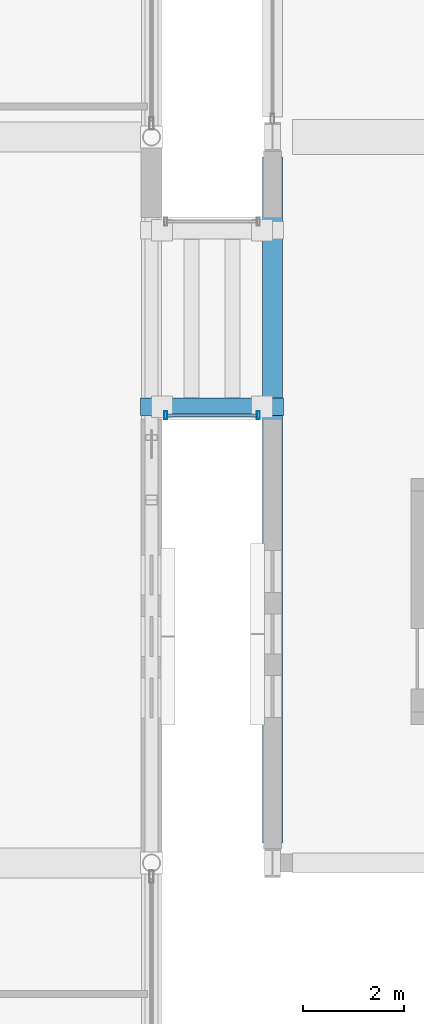
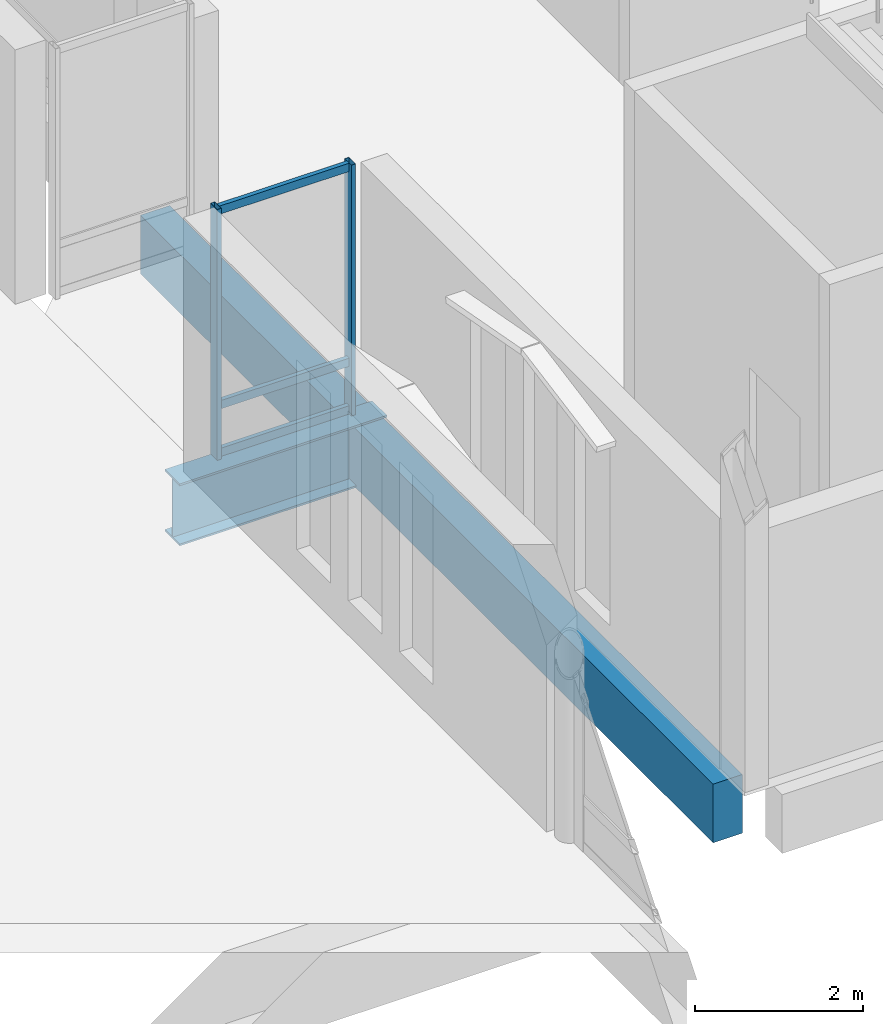
# One storey, part 73 of 220: 5 members, 2 beams, 1 element without a shape of its own.
"""IFC4 building model written with IfcOpenShell, lengths in metres."""

from ifc_helpers import new_model, si_unit, direction, frame, origin, origin_2d, place, context, subcontext, project, spatial, rectangle, hollow_rectangle, i_section, extrude, material, material_profile, profile_set, type_object, element, aggregate, save


model = new_model("IFC4")

# Units and contexts
model_context = context("Model", 3, precision=1e-05, world=origin(), true_north=direction((0.0, 1.0)))
body_context = subcontext(model_context, "Body", "Model", "MODEL_VIEW")
ifc_project = project(units=[si_unit("LENGTHUNIT", "METRE"), si_unit("AREAUNIT", "SQUARE_METRE"), si_unit("VOLUMEUNIT", "CUBIC_METRE"), si_unit("PLANEANGLEUNIT", "RADIAN"), si_unit("MASSUNIT", "GRAM", prefix="KILO")], contexts=[model_context])

# Site, building, storey
site_placement = place(None, origin())
site = spatial("IfcSite", under=ifc_project, at=site_placement, CompositionType="ELEMENT")
building_placement = place(site_placement, origin())
building = spatial("IfcBuilding", under=site, at=building_placement, Name="Cendralis Lancet Convention Centre", CompositionType="ELEMENT")
storey_placement = place(building_placement, frame((0.0, 0.0, 5.39990234375)))
storey = spatial("IfcBuildingStorey", under=building, at=storey_placement, Name="L01", CompositionType="ELEMENT", Elevation=5.39990234375)

# Curtain wall, members
ifc_material_1 = material(Name="Anodised bronze architectural aluminium", Category="aluminium")
curtain_wall_type = type_object("IfcCurtainWallType", Name="ARC-CW-BR01", PredefinedType="USERDEFINED", material=ifc_material_1)
curtain_wall_placement = place(storey_placement, origin())
curtain_wall = element("IfcCurtainWall", 1, at=curtain_wall_placement, inside=storey, type_object=curtain_wall_type, Name="L01 Curtain Wall CW-BR1 #193", ObjectType="CURTAIN WALL", PredefinedType="USERDEFINED")
ifc_material_profile_1 = material_profile(ifc_material_1, hollow_rectangle(XDim=0.06005859375, YDim=0.159912109375, WallThickness=0.00390625, at=origin_2d()), Name="AL-MULL 60x160x4.0")
ifc_profile_set_1 = profile_set([ifc_material_profile_1], Name="Anodised bronze architectural aluminium")
member_type_1 = type_object("IfcMemberType", Name="ARC-CW-ML01", PredefinedType="MULLION", material=ifc_profile_set_1)
member_1_placement = place(storey_placement, frame((122.679931640625, 102.47998046875, 0.0), z_axis=(0.0, 0.0, 1.0), x_axis=(1.0, 0.0, 0.0)))
member_1 = element("IfcMember", 2, at=member_1_placement, type_object=member_type_1, Name="Mullion CW2-CW-BR1-L01-193-M0", PredefinedType="MULLION", context=body_context, shape_type="SweptSolid", body=[
    extrude(hollow_rectangle(XDim=0.06005859375, YDim=0.159912109375, WallThickness=0.00390625, at=origin_2d()), origin(), (0.0, 0.0, 1.0), 3.635009765625),
])
member_2_placement = place(storey_placement, frame((124.52001953125, 102.47998046875, 0.0), z_axis=(0.0, 0.0, 1.0), x_axis=(1.0, 0.0, 0.0)))
member_2 = element("IfcMember", 3, at=member_2_placement, type_object=member_type_1, Name="Mullion CW2-CW-BR1-L01-193-M1", PredefinedType="MULLION", context=body_context, shape_type="SweptSolid", body=[
    extrude(hollow_rectangle(XDim=0.06005859375, YDim=0.159912109375, WallThickness=0.00390625, at=origin_2d()), origin(), (0.0, 0.0, 1.0), 3.635009765625),
])
ifc_material_profile_2 = material_profile(ifc_material_1, hollow_rectangle(XDim=0.06005859375, YDim=0.1201171875, WallThickness=0.00390625, at=origin_2d()), Name="AL-TRAN 60x120x4.0")
ifc_profile_set_2 = profile_set([ifc_material_profile_2], Name="Anodised bronze architectural aluminium")
member_type_2 = type_object("IfcMemberType", Name="ARC-CW-TR01", PredefinedType="USERDEFINED", material=ifc_profile_set_2)
member_3_placement = place(storey_placement, frame((122.7099609375, 102.47998046875, 0.06005859375), z_axis=(1.0, 0.0, 0.0), x_axis=(0.0, 1.0, 0.0)))
member_3 = element("IfcMember", 4, at=member_3_placement, type_object=member_type_2, Name="Transom CW2-CW-BR1-L01-193-T0BOT", ObjectType="TRANSOM", PredefinedType="USERDEFINED", context=body_context, shape_type="SweptSolid", body=[
    extrude(hollow_rectangle(XDim=0.06005859375, YDim=0.1201171875, WallThickness=0.00390625, at=origin_2d()), origin(), (0.0, 0.0, 1.0), 1.780029296875),
])
member_4_placement = place(storey_placement, frame((122.7099609375, 102.47998046875, 0.75), z_axis=(1.0, 0.0, 0.0), x_axis=(0.0, 1.0, 0.0)))
member_4 = element("IfcMember", 5, at=member_4_placement, type_object=member_type_2, Name="Transom CW2-CW-BR1-L01-193-T0MID", ObjectType="TRANSOM", PredefinedType="USERDEFINED", context=body_context, shape_type="SweptSolid", body=[
    extrude(hollow_rectangle(XDim=0.06005859375, YDim=0.1201171875, WallThickness=0.00390625, at=origin_2d()), origin(), (0.0, 0.0, 1.0), 1.780029296875),
])
member_5_placement = place(storey_placement, frame((122.7099609375, 102.47998046875, 3.5751953125), z_axis=(1.0, 0.0, 0.0), x_axis=(0.0, 1.0, 0.0)))
member_5 = element("IfcMember", 6, at=member_5_placement, type_object=member_type_2, Name="Transom CW2-CW-BR1-L01-193-T0TOP", ObjectType="TRANSOM", PredefinedType="USERDEFINED", context=body_context, shape_type="SweptSolid", body=[
    extrude(hollow_rectangle(XDim=0.06005859375, YDim=0.1201171875, WallThickness=0.00390625, at=origin_2d()), origin(), (0.0, 0.0, 1.0), 1.780029296875),
])
aggregate(curtain_wall, [member_1, member_2, member_3, member_4, member_5])

# Beams
ifc_material_2 = material(Name="Steel S355", Category="steel")
ifc_material_profile_3 = material_profile(ifc_material_2, i_section(OverallWidth=0.35009765625, OverallDepth=0.89990234375, WebThickness=0.01611328125, FlangeThickness=0.028076171875, at=origin_2d()), Name="PG 900x350")
ifc_profile_set_3 = profile_set([ifc_material_profile_3], Name="Steel S355")
beam_type_1 = type_object("IfcBeamType", Name="STR-BM-SG05", PredefinedType="BEAM", material=ifc_profile_set_3)
beam_1_placement = place(storey_placement, frame((122.179931640625, 102.64990234375, -0.669921875), z_axis=(1.0, 0.0, 0.0), x_axis=(0.0, 1.0, 0.0)))
element("IfcBeam", 7, at=beam_1_placement, inside=storey, type_object=beam_type_1, Name="L01 Beam SG05 #1876", PredefinedType="BEAM", context=body_context, shape_type="SweptSolid", body=[
    extrude(i_section(OverallWidth=0.35009765625, OverallDepth=0.89990234375, WebThickness=0.01611328125, FlangeThickness=0.028076171875, at=origin_2d()), origin(), (0.0, 0.0, 1.0), 2.840087890625),
])
ifc_material_3 = material(Name="Concrete G40 (C40/50)", Category="concrete")
ifc_material_profile_4 = material_profile(ifc_material_3, rectangle(XDim=0.39990234375, YDim=0.85009765625, at=origin_2d()), Name="RCB 400x850")
ifc_profile_set_4 = profile_set([ifc_material_profile_4], Name="Concrete G40 (C40/50)")
beam_type_2 = type_object("IfcBeamType", Name="STR-SP-SP02", PredefinedType="SPANDREL", material=ifc_profile_set_4)
beam_2_placement = place(storey_placement, frame((124.800048828125, 94.0, -0.704833984375), z_axis=(0.0, 1.0, 0.0), x_axis=(-1.0, 0.0, 0.0)))
element("IfcBeam", 8, at=beam_2_placement, inside=storey, type_object=beam_type_2, Name="L01 Beam SP02 #1663", PredefinedType="SPANDREL", context=body_context, shape_type="SweptSolid", body=[
    extrude(rectangle(XDim=0.39990234375, YDim=0.85009765625, at=origin_2d()), origin(), (0.0, 0.0, 1.0), 13.60009765625),
])

save(model, "model.ifc")
